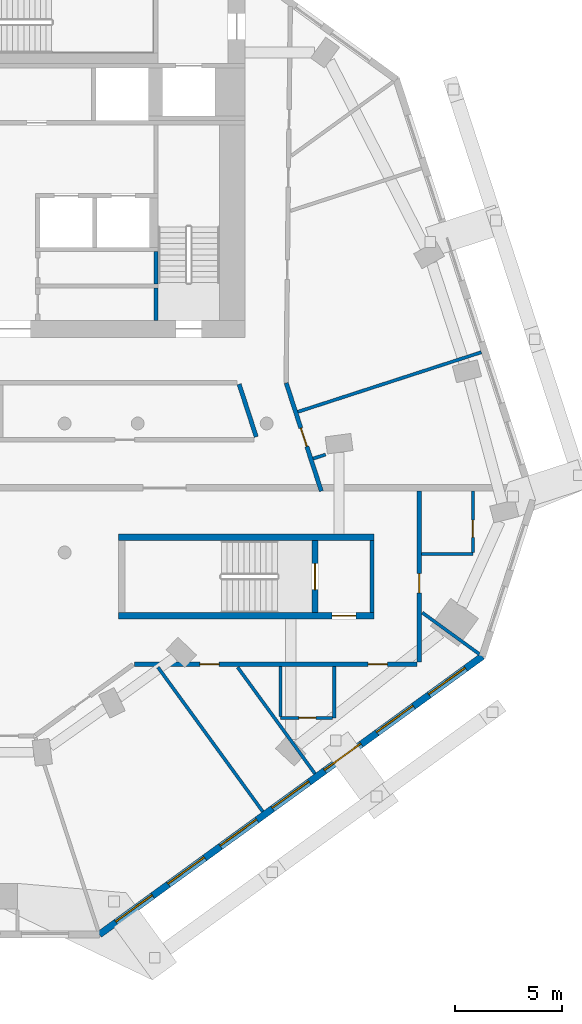
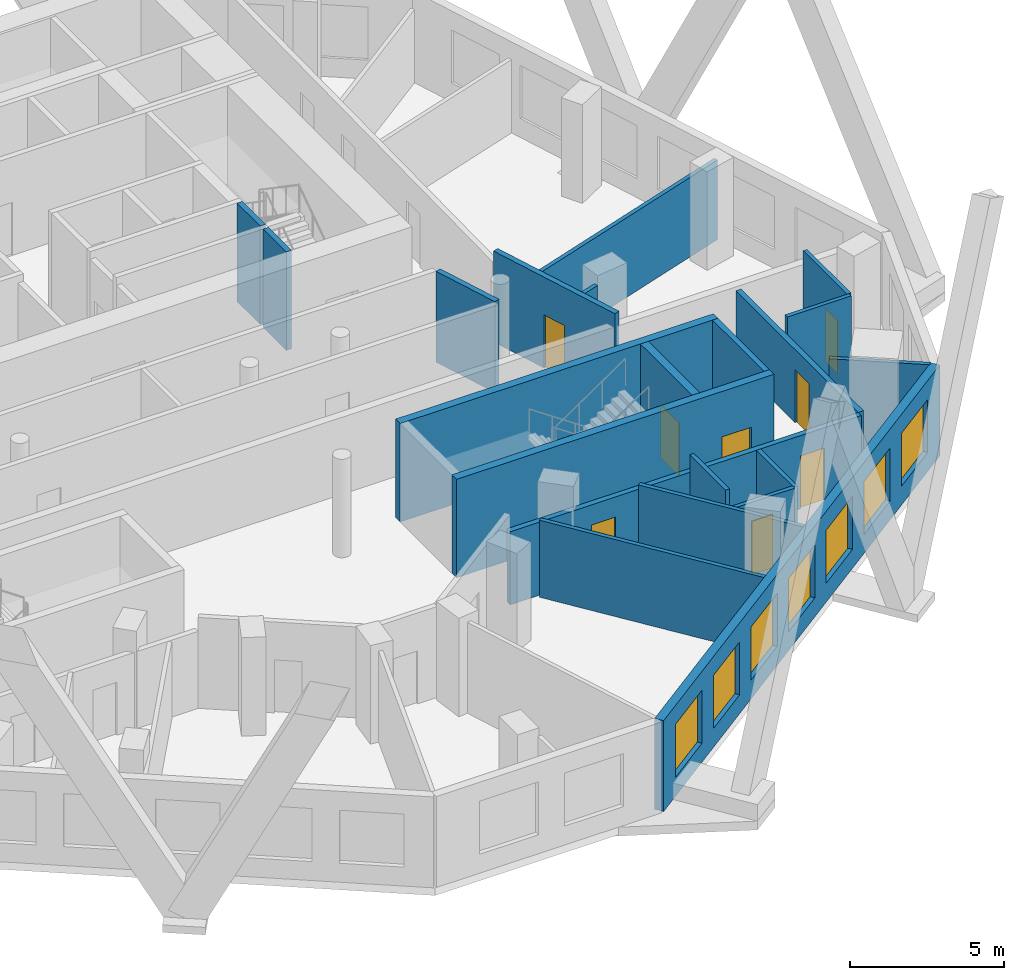
# One storey, part 5 of 10: 21 walls, 8 doors, 7 windows, 15 openings.
"""IFC4 building model written with IfcOpenShell, lengths in metres."""

import ifcopenshell
import ifcopenshell.guid

model = None  # the IFC model being written
_history = None  # IfcOwnerHistory: only IFC2X3 demands one
_inside = {}  # id of a spatial element -> (the spatial element, [elements in it])
_under = {}  # id of a project, library or spatial element -> (it, [spatial elements below it])
_declared = {}  # id of a project -> (the project, [libraries it declares])
_typed = {}  # id of a type object -> (the type object, [elements of that type])
_made_of = {}  # id of a material, layer set ... -> (it, [elements and type objects made of it])


def new_model(schema):
    """Start an empty IFC model of exactly this schema.

    Asked for "IFC4X3", IfcOpenShell would pick the latest addendum, in which some entities
    have other attributes; the version numbers below select the first issue.
    IFC2X3 requires an IfcOwnerHistory on every rooted entity: one is made here for all.
    """
    global model, _history
    if schema == "IFC4X3":
        model = ifcopenshell.file(schema_version=(4, 3, 0, 0))
    else:
        model = ifcopenshell.file(schema=schema)
    _inside.clear()
    _under.clear()
    _declared.clear()
    _typed.clear()
    _made_of.clear()
    _history = None
    if model.schema == "IFC2X3":
        org = make("IfcOrganization", Name="unknown")
        user = make(
            "IfcPersonAndOrganization",
            ThePerson=make("IfcPerson", FamilyName="unknown"),
            TheOrganization=org,
        )
        app = make(
            "IfcApplication",
            ApplicationDeveloper=org,
            Version="unknown",
            ApplicationFullName="unknown",
            ApplicationIdentifier="unknown",
        )
        _history = make(
            "IfcOwnerHistory",
            OwningUser=user,
            OwningApplication=app,
            ChangeAction="ADDED",
            CreationDate=0,
        )
    return model


def make(cls, **values):
    """One entity of the class cls with the attributes given. An attribute that is None is left unset."""
    return model.create_entity(
        cls, **{name: value for name, value in values.items() if value is not None}
    )


def rooted(cls, **values):
    """An entity with a GlobalId (a new one), such as an element, a storey or a relation."""
    return make(cls, GlobalId=ifcopenshell.guid.new(), OwnerHistory=_history, **values)


def si_unit(unit_type, name, prefix=None):
    """IfcSIUnit, for example si_unit("LENGTHUNIT", "METRE", prefix="MILLI")."""
    return make("IfcSIUnit", UnitType=unit_type, Prefix=prefix, Name=name)


def assignment(units):
    """IfcUnitAssignment: the units of a project."""
    return None if units is None else make("IfcUnitAssignment", Units=units)


def point(xyz):
    """IfcCartesianPoint."""
    return None if xyz is None else make("IfcCartesianPoint", Coordinates=xyz)


def direction(xyz):
    """IfcDirection."""
    return None if xyz is None else make("IfcDirection", DirectionRatios=xyz)


def frame(location, z_axis=None, x_axis=None):
    """IfcAxis2Placement3D, a coordinate frame: its origin and axes. An axis left out is left unset."""
    return make(
        "IfcAxis2Placement3D",
        Location=point(location),
        Axis=direction(z_axis),
        RefDirection=direction(x_axis),
    )


def frame_2d(location, x_axis=None):
    """IfcAxis2Placement2D, a coordinate frame in the plane: its origin and x axis."""
    return make(
        "IfcAxis2Placement2D", Location=point(location), RefDirection=direction(x_axis)
    )


def origin():
    """The frame at (0, 0, 0) with its axes left unset."""
    return frame((0.0, 0.0, 0.0))


def place(relative_to, where):
    """IfcLocalPlacement: puts the frame where relative to a parent placement (None: the world)."""
    return make(
        "IfcLocalPlacement", PlacementRelTo=relative_to, RelativePlacement=where
    )


def context(
    kind, dimensions, precision=None, world=None, true_north=None, identifier=None
):
    """IfcGeometricRepresentationContext, for example the 3D "Model" context."""
    return make(
        "IfcGeometricRepresentationContext",
        ContextIdentifier=identifier,
        ContextType=kind,
        CoordinateSpaceDimension=dimensions,
        Precision=precision,
        WorldCoordinateSystem=world,
        TrueNorth=true_north,
    )


def subcontext(parent, identifier, kind, view, scale=None):
    """IfcGeometricRepresentationSubContext, for example "Body" below "Model"."""
    return make(
        "IfcGeometricRepresentationSubContext",
        ContextIdentifier=identifier,
        ContextType=kind,
        ParentContext=parent,
        TargetScale=scale,
        TargetView=view,
    )


def project(units=None, contexts=None):
    """IfcProject with its units and contexts."""
    return rooted(
        "IfcProject",
        Name="project",
        RepresentationContexts=contexts,
        UnitsInContext=assignment(units),
    )


def spatial(cls, under=None, at=None, **own):
    """A site, building, storey or space (cls), placed at a placement, below another one or the project."""
    s = rooted(cls, ObjectPlacement=at, **own)
    if under is not None:
        _under.setdefault(under.id(), (under, []))[1].append(s)
    return s


def profile(cls, at=None, kind="AREA", **sizes):
    """A parametric profile (cls). Its sizes go by their IFC names, for example OverallWidth=200.0."""
    return make(cls, ProfileType=kind, Position=at, **sizes)


def rectangle(**sizes):
    """IfcRectangleProfileDef."""
    return profile("IfcRectangleProfileDef", **sizes)


def extrude(swept, where, along, depth):
    """IfcExtrudedAreaSolid: the profile swept, set in the frame where, extruded along a direction by depth."""
    return make(
        "IfcExtrudedAreaSolid",
        SweptArea=swept,
        Position=where,
        ExtrudedDirection=direction(along),
        Depth=depth,
    )


def shape(context_of_items, identifier, shape_type, items):
    """IfcShapeRepresentation: the items that make up one representation, for example the "Body"."""
    return make(
        "IfcShapeRepresentation",
        ContextOfItems=context_of_items,
        RepresentationIdentifier=identifier,
        RepresentationType=shape_type,
        Items=items,
    )


def material(Name=None, Category=None):
    """IfcMaterial."""
    return make("IfcMaterial", Name=Name, Category=Category)


def layer(
    of_material, thickness, ventilated=None, Name=None, Category=None, Priority=None
):
    """IfcMaterialLayer: one layer of a wall or slab, of a material (None: an air gap)."""
    return make(
        "IfcMaterialLayer",
        Material=of_material,
        LayerThickness=thickness,
        IsVentilated=ventilated,
        Name=Name,
        Category=Category,
        Priority=Priority,
    )


def layer_set(layers, Name=None):
    """IfcMaterialLayerSet."""
    return make("IfcMaterialLayerSet", MaterialLayers=layers, LayerSetName=Name)


def made_of(thing, what):
    """Note that an element or type object is made of a material, layer set ...; save() writes the relation."""
    if what is not None:
        _made_of.setdefault(what.id(), (what, []))[1].append(thing)
    return thing


def type_object(cls, material=None, **own):
    """A type object (cls), such as IfcWallType, which elements share."""
    return made_of(rooted(cls, **own), material)


def element(
    cls,
    number,
    at=None,
    inside=None,
    cuts=None,
    type_object=None,
    material=None,
    context=None,
    identifier="Body",
    shape_type=None,
    held_by="IfcProductDefinitionShape",
    body=None,
    shapes=None,
    **own,
):
    """One element of the class cls, such as IfcWall. Its Tag is "e" and its number.

    at: its placement. inside: the storey or other place that contains it. cuts: it is an
    opening in that element (IfcRelVoidsElement). A single representation is given by context,
    identifier, shape_type and body (its items); several are given by shapes. held_by: the class
    of the entity that holds the representations. save() writes the other relations.
    """
    e = rooted(cls, Tag="e%d" % number, ObjectPlacement=at, **own)
    if body is not None:
        shapes = [shape(context, identifier, shape_type, body)]
    if shapes is not None:
        e.Representation = make(held_by, Representations=shapes)
    if inside is not None:
        _inside.setdefault(inside.id(), (inside, []))[1].append(e)
    if cuts is not None:
        rooted(
            "IfcRelVoidsElement", RelatingBuildingElement=cuts, RelatedOpeningElement=e
        )
    if type_object is not None:
        _typed.setdefault(type_object.id(), (type_object, []))[1].append(e)
    return made_of(e, material)


def fill(opening, filler):
    """IfcRelFillsElement: the door or window that sits in an opening."""
    return rooted(
        "IfcRelFillsElement",
        RelatingOpeningElement=opening,
        RelatedBuildingElement=filler,
    )


def aggregate(whole, parts):
    """IfcRelAggregates: a whole, such as a stair, and the parts it consists of."""
    return rooted("IfcRelAggregates", RelatingObject=whole, RelatedObjects=parts)


def save(model, path):
    """Write the relations noted so far, then the file.

    IfcRelAggregates (storeys below a building ...), IfcRelContainedInSpatialStructure (elements
    in a storey), IfcRelDefinesByType, IfcRelAssociatesMaterial and IfcRelDeclares: one each for
    every whole, place, type object, material and project.
    """
    for whole, parts in _under.values():
        aggregate(whole, parts)
    for where, things in _inside.values():
        rooted(
            "IfcRelContainedInSpatialStructure",
            RelatedElements=things,
            RelatingStructure=where,
        )
    for kind, things in _typed.values():
        rooted("IfcRelDefinesByType", RelatedObjects=things, RelatingType=kind)
    for what, things in _made_of.values():
        rooted("IfcRelAssociatesMaterial", RelatedObjects=things, RelatingMaterial=what)
    for by, libraries in _declared.values():
        rooted("IfcRelDeclares", RelatingContext=by, RelatedDefinitions=libraries)
    model.write(path)


model = new_model("IFC4")

# Units and contexts
model_context = context("Model", 3, precision=1e-05, world=origin(), true_north=direction((0.0, 1.0)))
body_context = subcontext(model_context, "Body", "Model", "MODEL_VIEW")
ifc_project = project(units=[si_unit("LENGTHUNIT", "METRE"), si_unit("AREAUNIT", "SQUARE_METRE"), si_unit("VOLUMEUNIT", "CUBIC_METRE"), si_unit("PLANEANGLEUNIT", "RADIAN"), si_unit("MASSUNIT", "GRAM", prefix="KILO")], contexts=[model_context])

# Site, building, storey
site_placement = place(None, origin())
site = spatial("IfcSite", under=ifc_project, at=site_placement, CompositionType="ELEMENT")
building_placement = place(site_placement, origin())
building = spatial("IfcBuilding", under=site, at=building_placement, Name="White Candle Pilgrim Tower", CompositionType="ELEMENT")
storey_placement = place(building_placement, frame((0.0, 0.0, 219.89990234375)))
storey = spatial("IfcBuildingStorey", under=building, at=storey_placement, Name="L51", CompositionType="ELEMENT", Elevation=219.89990234375)

# Wall
ifc_material_1 = material(Name="Concrete C50/60", Category="concrete")
ifc_layer_1 = layer(ifc_material_1, 0.199951171875)
ifc_layer_set_1 = layer_set([ifc_layer_1], Name="Core wall 200 mm Concrete C50/60")
wall_type_1 = type_object("IfcWallType", Name="Core wall 200 mm Concrete C50/60", PredefinedType="SHEAR", material=ifc_layer_set_1)
wall_1_placement = place(storey_placement, frame((86.89990234375, 58.199951171875, 0.0), z_axis=(0.0, 0.0, 1.0), x_axis=(0.0, 1.0, 0.0)))
element("IfcWall", 1, at=wall_1_placement, inside=storey, type_object=wall_type_1, Name="WL-L51-C08", PredefinedType="SHEAR", context=body_context, shape_type="SweptSolid", body=[
    extrude(rectangle(XDim=3.35009765625, YDim=0.199951171875, at=frame_2d((1.675048828125, 0.0))), origin(), (0.0, 0.0, 1.0), 3.900146484375),
])

# Wall, opening, door
ifc_material_2 = material(Name="Gypsum board on steel studs", Category="steel")
ifc_layer_2 = layer(ifc_material_2, 0.199951171875)
ifc_layer_set_2 = layer_set([ifc_layer_2], Name="Corridor wall 200 mm EI 45")
wall_type_2 = type_object("IfcWallType", Name="Corridor wall 200 mm EI 45", PredefinedType="PARTITIONING", material=ifc_layer_set_2)
wall_2_placement = place(storey_placement, frame((82.909912109375, 68.884521484375, 0.0), z_axis=(0.0, 0.0, 1.0), x_axis=(0.309009941901, -0.951058807754, 0.0)))
wall_2 = element("IfcWall", 2, at=wall_2_placement, inside=storey, type_object=wall_type_2, Name="WL-L51-P005", PredefinedType="PARTITIONING", context=body_context, shape_type="SweptSolid", body=[
    extrude(rectangle(XDim=5.29345703125, YDim=0.199951171875, at=frame_2d((2.646728515625, 0.0))), origin(), (0.0, 0.0, 1.0), 3.60009765625),
])
opening_1_placement = place(wall_2_placement, frame((2.203857421875, 0.0, 0.0)))
opening_1 = element("IfcOpeningElement", 3, at=opening_1_placement, cuts=wall_2, Name="Opening T16-123", PredefinedType="OPENING", context=body_context, shape_type="SweptSolid", body=[
    extrude(rectangle(XDim=0.89990234375, YDim=2.10009765625, at=frame_2d((0.449951171875, 1.050048828125))), frame((0.0, 0.10986328125, 0.0), z_axis=(0.0, -1.0, 0.0), x_axis=(1.0, 0.0, 0.0)), (0.0, 0.0, 1.0), 0.219970703125),
])
ifc_material_3 = material(Name="Steel door leaf", Category="steel")
door_type_1 = type_object("IfcDoorType", Name="Fire door 900 x 2100 EI 30", OperationType="NOTDEFINED", PredefinedType="DOOR", material=ifc_material_3)
door_1_placement = place(opening_1_placement, origin())
door_1 = element("IfcDoor", 4, at=door_1_placement, inside=storey, type_object=door_type_1, Name="Door T16-123", OperationType="SINGLE_SWING_LEFT", OverallHeight=2.10009765625, OverallWidth=0.89990234375, PredefinedType="DOOR", context=body_context, shape_type="SweptSolid", body=[
    extrude(rectangle(XDim=0.89990234375, YDim=2.10009765625, at=frame_2d((0.449951171875, 1.050048828125))), frame((0.0, 0.02490234375, 0.0), z_axis=(0.0, -1.0, 0.0), x_axis=(1.0, 0.0, 0.0)), (0.0, 0.0, 1.0), 0.050048828125),
])
fill(opening_1, door_1)

wall_3_placement = place(storey_placement, frame((89.10009765625, 63.85009765625, 0.0), z_axis=(0.0, 0.0, 1.0), x_axis=(0.0, -1.0, 0.0)))
wall_3 = element("IfcWall", 5, at=wall_3_placement, inside=storey, type_object=wall_type_2, Name="WL-L51-P006", PredefinedType="PARTITIONING", context=body_context, shape_type="SweptSolid", body=[
    extrude(rectangle(XDim=7.9501953125, YDim=0.199951171875, at=frame_2d((3.97509765625, 0.0))), origin(), (0.0, 0.0, 1.0), 2.900146484375),
])
opening_2_placement = place(wall_3_placement, frame((3.833251953125, 0.0, 0.0)))
opening_2 = element("IfcOpeningElement", 6, at=opening_2_placement, cuts=wall_3, Name="Opening T16-113", PredefinedType="OPENING", context=body_context, shape_type="SweptSolid", body=[
    extrude(rectangle(XDim=0.89990234375, YDim=2.10009765625, at=frame_2d((0.449951171875, 1.050048828125))), frame((0.0, 0.10986328125, 0.0), z_axis=(0.0, -1.0, 0.0), x_axis=(1.0, 0.0, 0.0)), (0.0, 0.0, 1.0), 0.219970703125),
])
door_2_placement = place(opening_2_placement, origin())
door_2 = element("IfcDoor", 7, at=door_2_placement, inside=storey, type_object=door_type_1, Name="Door T16-113", OperationType="SINGLE_SWING_LEFT", OverallHeight=2.10009765625, OverallWidth=0.89990234375, PredefinedType="DOOR", context=body_context, shape_type="SweptSolid", body=[
    extrude(rectangle(XDim=0.89990234375, YDim=2.10009765625, at=frame_2d((0.449951171875, 1.050048828125))), frame((0.0, 0.02490234375, 0.0), z_axis=(0.0, -1.0, 0.0), x_axis=(1.0, 0.0, 0.0)), (0.0, 0.0, 1.0), 0.050048828125),
])
fill(opening_2, door_2)

# Wall, openings, doors
wall_4_placement = place(storey_placement, frame((89.0, 55.800048828125, 0.0), z_axis=(0.0, 0.0, 1.0), x_axis=(-1.0, 0.0, 0.0)))
wall_4 = element("IfcWall", 8, at=wall_4_placement, inside=storey, type_object=wall_type_2, Name="WL-L51-P007", PredefinedType="PARTITIONING", context=body_context, shape_type="SweptSolid", body=[
    extrude(rectangle(XDim=13.156982421875, YDim=0.199951171875, at=frame_2d((6.57861328125, 0.0))), origin(), (0.0, 0.0, 1.0), 2.900146484375),
])
opening_3_placement = place(wall_4_placement, frame((9.2080078125, 0.0, 0.0)))
opening_3 = element("IfcOpeningElement", 9, at=opening_3_placement, cuts=wall_4, Name="Opening T16-109", PredefinedType="OPENING", context=body_context, shape_type="SweptSolid", body=[
    extrude(rectangle(XDim=0.89990234375, YDim=2.10009765625, at=frame_2d((0.449951171875, 1.050048828125))), frame((0.0, 0.10986328125, 0.0), z_axis=(0.0, -1.0, 0.0), x_axis=(1.0, 0.0, 0.0)), (0.0, 0.0, 1.0), 0.219970703125),
])
opening_4_placement = place(wall_4_placement, frame((1.376953125, 0.0, 0.0)))
opening_4 = element("IfcOpeningElement", 10, at=opening_4_placement, cuts=wall_4, Name="Opening T16-111", PredefinedType="OPENING", context=body_context, shape_type="SweptSolid", body=[
    extrude(rectangle(XDim=0.89990234375, YDim=2.10009765625, at=frame_2d((0.449951171875, 1.050048828125))), frame((0.0, 0.10986328125, 0.0), z_axis=(0.0, -1.0, 0.0), x_axis=(1.0, 0.0, 0.0)), (0.0, 0.0, 1.0), 0.219970703125),
])
door_3_placement = place(opening_3_placement, origin())
door_3 = element("IfcDoor", 11, at=door_3_placement, inside=storey, type_object=door_type_1, Name="Door T16-109", OperationType="SINGLE_SWING_LEFT", OverallHeight=2.10009765625, OverallWidth=0.89990234375, PredefinedType="DOOR", context=body_context, shape_type="SweptSolid", body=[
    extrude(rectangle(XDim=0.89990234375, YDim=2.10009765625, at=frame_2d((0.449951171875, 1.050048828125))), frame((0.0, 0.02490234375, 0.0), z_axis=(0.0, -1.0, 0.0), x_axis=(1.0, 0.0, 0.0)), (0.0, 0.0, 1.0), 0.050048828125),
])
fill(opening_3, door_3)
door_4_placement = place(opening_4_placement, origin())
door_4 = element("IfcDoor", 12, at=door_4_placement, inside=storey, type_object=door_type_1, Name="Door T16-111", OperationType="SINGLE_SWING_LEFT", OverallHeight=2.10009765625, OverallWidth=0.89990234375, PredefinedType="DOOR", context=body_context, shape_type="SweptSolid", body=[
    extrude(rectangle(XDim=0.89990234375, YDim=2.10009765625, at=frame_2d((0.449951171875, 1.050048828125))), frame((0.0, 0.02490234375, 0.0), z_axis=(0.0, -1.0, 0.0), x_axis=(1.0, 0.0, 0.0)), (0.0, 0.0, 1.0), 0.050048828125),
])
fill(opening_4, door_4)

# Wall
wall_5_placement = place(storey_placement, frame((81.51513671875, 66.380859375, 0.0), z_axis=(0.0, 0.0, 1.0), x_axis=(-0.308968203288, 0.951072368097, 0.0)))
element("IfcWall", 13, at=wall_5_placement, inside=storey, type_object=wall_type_2, Name="WL-L51-P016", PredefinedType="PARTITIONING", context=body_context, shape_type="SweptSolid", body=[
    extrude(rectangle(XDim=2.575927734375, YDim=0.199951171875, at=frame_2d((1.2880859375, 0.0))), origin(), (0.0, 0.0, 1.0), 3.60009765625),
])

# Wall, openings, windows
ifc_material_4 = material(Name="Precast concrete C40/50", Category="concrete")
ifc_layer_3 = layer(ifc_material_4, 0.320068359375)
ifc_layer_set_3 = layer_set([ifc_layer_3], Name="Facade wall EW1 precast concrete C40/50 pier wall with timber-lined reveals")
wall_type_3 = type_object("IfcWallType", Name="Facade wall EW1 precast concrete C40/50 pier wall with timber-lined reveals", PredefinedType="SOLIDWALL", material=ifc_layer_set_3)
wall_6_placement = place(storey_placement, frame((74.21826171875, 43.221923828125, 0.0), z_axis=(0.0, 0.0, 1.0), x_axis=(0.809020717907, 0.587780127256, 0.0)))
wall_6 = element("IfcWall", 14, at=wall_6_placement, inside=storey, type_object=wall_type_3, Name="Facade wall L51 SE", PredefinedType="SOLIDWALL", context=body_context, shape_type="SweptSolid", body=[
    extrude(rectangle(XDim=22.02490234375, YDim=0.320068359375, at=frame_2d((11.012451171875, 0.0))), origin(), (0.0, 0.0, 1.0), 3.60009765625),
])
opening_5_placement = place(wall_6_placement, frame((0.96240234375, 0.0, 0.75)))
opening_5 = element("IfcOpeningElement", 15, at=opening_5_placement, cuts=wall_6, Name="Opening W3", PredefinedType="OPENING", context=body_context, shape_type="SweptSolid", body=[
    extrude(rectangle(XDim=2.10009765625, YDim=2.10009765625, at=frame_2d((1.050048828125, 1.050048828125))), frame((0.0, 0.169921875, 0.0), z_axis=(0.0, -1.0, 0.0), x_axis=(1.0, 0.0, 0.0)), (0.0, 0.0, 1.0), 0.340087890625),
])
opening_6_placement = place(wall_6_placement, frame((3.96240234375, 0.0, 0.75)))
opening_6 = element("IfcOpeningElement", 16, at=opening_6_placement, cuts=wall_6, Name="Opening W3", PredefinedType="OPENING", context=body_context, shape_type="SweptSolid", body=[
    extrude(rectangle(XDim=2.10009765625, YDim=2.10009765625, at=frame_2d((1.050048828125, 1.050048828125))), frame((0.0, 0.169921875, 0.0), z_axis=(0.0, -1.0, 0.0), x_axis=(1.0, 0.0, 0.0)), (0.0, 0.0, 1.0), 0.340087890625),
])
opening_7_placement = place(wall_6_placement, frame((6.96240234375, 0.0, 0.75)))
opening_7 = element("IfcOpeningElement", 17, at=opening_7_placement, cuts=wall_6, Name="Opening W3", PredefinedType="OPENING", context=body_context, shape_type="SweptSolid", body=[
    extrude(rectangle(XDim=2.10009765625, YDim=2.10009765625, at=frame_2d((1.050048828125, 1.050048828125))), frame((0.0, 0.169921875, 0.0), z_axis=(0.0, -1.0, 0.0), x_axis=(1.0, 0.0, 0.0)), (0.0, 0.0, 1.0), 0.340087890625),
])
opening_8_placement = place(wall_6_placement, frame((9.96240234375, 0.0, 0.75)))
opening_8 = element("IfcOpeningElement", 18, at=opening_8_placement, cuts=wall_6, Name="Opening W3", PredefinedType="OPENING", context=body_context, shape_type="SweptSolid", body=[
    extrude(rectangle(XDim=2.10009765625, YDim=2.10009765625, at=frame_2d((1.050048828125, 1.050048828125))), frame((0.0, 0.169921875, 0.0), z_axis=(0.0, -1.0, 0.0), x_axis=(1.0, 0.0, 0.0)), (0.0, 0.0, 1.0), 0.340087890625),
])
opening_9_placement = place(wall_6_placement, frame((12.96240234375, 0.0, 0.75)))
opening_9 = element("IfcOpeningElement", 19, at=opening_9_placement, cuts=wall_6, Name="Opening W3", PredefinedType="OPENING", context=body_context, shape_type="SweptSolid", body=[
    extrude(rectangle(XDim=2.10009765625, YDim=2.10009765625, at=frame_2d((1.050048828125, 1.050048828125))), frame((0.0, 0.169921875, 0.0), z_axis=(0.0, -1.0, 0.0), x_axis=(1.0, 0.0, 0.0)), (0.0, 0.0, 1.0), 0.340087890625),
])
opening_10_placement = place(wall_6_placement, frame((15.96240234375, 0.0, 0.75)))
opening_10 = element("IfcOpeningElement", 20, at=opening_10_placement, cuts=wall_6, Name="Opening W3", PredefinedType="OPENING", context=body_context, shape_type="SweptSolid", body=[
    extrude(rectangle(XDim=2.10009765625, YDim=2.10009765625, at=frame_2d((1.050048828125, 1.050048828125))), frame((0.0, 0.169921875, 0.0), z_axis=(0.0, -1.0, 0.0), x_axis=(1.0, 0.0, 0.0)), (0.0, 0.0, 1.0), 0.340087890625),
])
opening_11_placement = place(wall_6_placement, frame((18.96240234375, 0.0, 0.75)))
opening_11 = element("IfcOpeningElement", 21, at=opening_11_placement, cuts=wall_6, Name="Opening W3", PredefinedType="OPENING", context=body_context, shape_type="SweptSolid", body=[
    extrude(rectangle(XDim=2.10009765625, YDim=2.10009765625, at=frame_2d((1.050048828125, 1.050048828125))), frame((0.0, 0.169921875, 0.0), z_axis=(0.0, -1.0, 0.0), x_axis=(1.0, 0.0, 0.0)), (0.0, 0.0, 1.0), 0.340087890625),
])
ifc_material_5 = material(Name="Timber frame with triple glazing", Category="wood")
window_type = type_object("IfcWindowType", Name="Window W3 2100x2100 timber frame triple glazing", PartitioningType="SINGLE_PANEL", PredefinedType="WINDOW", material=ifc_material_5)
window_1_placement = place(opening_5_placement, origin())
window_1 = element("IfcWindow", 22, at=window_1_placement, inside=storey, type_object=window_type, Name="Window W3 L51 SE 1", OverallHeight=2.10009765625, OverallWidth=2.10009765625, PartitioningType="SINGLE_PANEL", PredefinedType="WINDOW", context=body_context, shape_type="SweptSolid", body=[
    extrude(rectangle(XDim=2.10009765625, YDim=2.10009765625, at=frame_2d((1.050048828125, 1.050048828125))), frame((0.0, 0.070068359375, 0.0), z_axis=(0.0, -1.0, 0.0), x_axis=(1.0, 0.0, 0.0)), (0.0, 0.0, 1.0), 0.06005859375),
])
fill(opening_5, window_1)
window_2_placement = place(opening_6_placement, origin())
window_2 = element("IfcWindow", 23, at=window_2_placement, inside=storey, type_object=window_type, Name="Window W3 L51 SE 2", OverallHeight=2.10009765625, OverallWidth=2.10009765625, PartitioningType="SINGLE_PANEL", PredefinedType="WINDOW", context=body_context, shape_type="SweptSolid", body=[
    extrude(rectangle(XDim=2.10009765625, YDim=2.10009765625, at=frame_2d((1.050048828125, 1.050048828125))), frame((0.0, 0.070068359375, 0.0), z_axis=(0.0, -1.0, 0.0), x_axis=(1.0, 0.0, 0.0)), (0.0, 0.0, 1.0), 0.06005859375),
])
fill(opening_6, window_2)
window_3_placement = place(opening_7_placement, origin())
window_3 = element("IfcWindow", 24, at=window_3_placement, inside=storey, type_object=window_type, Name="Window W3 L51 SE 3", OverallHeight=2.10009765625, OverallWidth=2.10009765625, PartitioningType="SINGLE_PANEL", PredefinedType="WINDOW", context=body_context, shape_type="SweptSolid", body=[
    extrude(rectangle(XDim=2.10009765625, YDim=2.10009765625, at=frame_2d((1.050048828125, 1.050048828125))), frame((0.0, 0.070068359375, 0.0), z_axis=(0.0, -1.0, 0.0), x_axis=(1.0, 0.0, 0.0)), (0.0, 0.0, 1.0), 0.06005859375),
])
fill(opening_7, window_3)
window_4_placement = place(opening_8_placement, origin())
window_4 = element("IfcWindow", 25, at=window_4_placement, inside=storey, type_object=window_type, Name="Window W3 L51 SE 4", OverallHeight=2.10009765625, OverallWidth=2.10009765625, PartitioningType="SINGLE_PANEL", PredefinedType="WINDOW", context=body_context, shape_type="SweptSolid", body=[
    extrude(rectangle(XDim=2.10009765625, YDim=2.10009765625, at=frame_2d((1.050048828125, 1.050048828125))), frame((0.0, 0.070068359375, 0.0), z_axis=(0.0, -1.0, 0.0), x_axis=(1.0, 0.0, 0.0)), (0.0, 0.0, 1.0), 0.06005859375),
])
fill(opening_8, window_4)
window_5_placement = place(opening_9_placement, origin())
window_5 = element("IfcWindow", 26, at=window_5_placement, inside=storey, type_object=window_type, Name="Window W3 L51 SE 5", OverallHeight=2.10009765625, OverallWidth=2.10009765625, PartitioningType="SINGLE_PANEL", PredefinedType="WINDOW", context=body_context, shape_type="SweptSolid", body=[
    extrude(rectangle(XDim=2.10009765625, YDim=2.10009765625, at=frame_2d((1.050048828125, 1.050048828125))), frame((0.0, 0.070068359375, 0.0), z_axis=(0.0, -1.0, 0.0), x_axis=(1.0, 0.0, 0.0)), (0.0, 0.0, 1.0), 0.06005859375),
])
fill(opening_9, window_5)
window_6_placement = place(opening_10_placement, origin())
window_6 = element("IfcWindow", 27, at=window_6_placement, inside=storey, type_object=window_type, Name="Window W3 L51 SE 6", OverallHeight=2.10009765625, OverallWidth=2.10009765625, PartitioningType="SINGLE_PANEL", PredefinedType="WINDOW", context=body_context, shape_type="SweptSolid", body=[
    extrude(rectangle(XDim=2.10009765625, YDim=2.10009765625, at=frame_2d((1.050048828125, 1.050048828125))), frame((0.0, 0.070068359375, 0.0), z_axis=(0.0, -1.0, 0.0), x_axis=(1.0, 0.0, 0.0)), (0.0, 0.0, 1.0), 0.06005859375),
])
fill(opening_10, window_6)
window_7_placement = place(opening_11_placement, origin())
window_7 = element("IfcWindow", 28, at=window_7_placement, inside=storey, type_object=window_type, Name="Window W3 L51 SE 7", OverallHeight=2.10009765625, OverallWidth=2.10009765625, PartitioningType="SINGLE_PANEL", PredefinedType="WINDOW", context=body_context, shape_type="SweptSolid", body=[
    extrude(rectangle(XDim=2.10009765625, YDim=2.10009765625, at=frame_2d((1.050048828125, 1.050048828125))), frame((0.0, 0.070068359375, 0.0), z_axis=(0.0, -1.0, 0.0), x_axis=(1.0, 0.0, 0.0)), (0.0, 0.0, 1.0), 0.06005859375),
])
fill(opening_11, window_7)

# Walls
ifc_layer_4 = layer(ifc_material_2, 0.14990234375)
ifc_layer_set_4 = layer_set([ifc_layer_4], Name="Partition 150 mm EI 60")
wall_type_4 = type_object("IfcWallType", Name="Partition 150 mm EI 60", PredefinedType="PARTITIONING", material=ifc_layer_set_4)
wall_7_placement = place(storey_placement, frame((91.900634765625, 56.2666015625, 0.0), z_axis=(0.0, 0.0, 1.0), x_axis=(-0.808999643258, 0.587809133315, 0.0)))
element("IfcWall", 29, at=wall_7_placement, inside=storey, type_object=wall_type_4, Name="WL-L51-P021", PredefinedType="PARTITIONING", context=body_context, shape_type="SweptSolid", body=[
    extrude(rectangle(XDim=3.28369140625, YDim=0.14990234375, at=frame_2d((1.641845703125, 0.0))), origin(), (0.0, 0.0, 1.0), 3.60009765625),
])
wall_8_placement = place(storey_placement, frame((81.820068359375, 48.942626953125, 0.0), z_axis=(0.0, 0.0, 1.0), x_axis=(-0.587795526612, 0.809009529545, 0.0)))
element("IfcWall", 30, at=wall_8_placement, inside=storey, type_object=wall_type_4, Name="WL-L51-P029", PredefinedType="PARTITIONING", context=body_context, shape_type="SweptSolid", body=[
    extrude(rectangle(XDim=8.29833984375, YDim=0.14990234375, at=frame_2d((4.149169921875, 0.0))), origin(), (0.0, 0.0, 1.0), 3.050048828125),
])
wall_9_placement = place(storey_placement, frame((84.2470703125, 50.705810546875, 0.0), z_axis=(0.0, 0.0, 1.0), x_axis=(-0.58777542513, 0.809024134135, 0.0)))
element("IfcWall", 31, at=wall_9_placement, inside=storey, type_object=wall_type_4, Name="WL-L51-P030", PredefinedType="PARTITIONING", context=body_context, shape_type="SweptSolid", body=[
    extrude(rectangle(XDim=6.11865234375, YDim=0.14990234375, at=frame_2d((3.059326171875, 0.0))), origin(), (0.0, 0.0, 1.0), 3.150146484375),
])
wall_10_placement = place(storey_placement, frame((85.14599609375, 55.699951171875, 0.0), z_axis=(0.0, 0.0, 1.0), x_axis=(0.0, -1.0, 0.0)))
element("IfcWall", 32, at=wall_10_placement, inside=storey, type_object=wall_type_4, Name="WL-L51-P031", PredefinedType="PARTITIONING", context=body_context, shape_type="SweptSolid", body=[
    extrude(rectangle(XDim=2.39990234375, YDim=0.14990234375, at=frame_2d((1.199951171875, 0.0))), origin(), (0.0, 0.0, 1.0), 2.900146484375),
])

# Wall, opening, door
wall_11_placement = place(storey_placement, frame((82.64599609375, 53.300048828125, 0.0), z_axis=(0.0, 0.0, 1.0), x_axis=(1.0, 0.0, 0.0)))
wall_11 = element("IfcWall", 33, at=wall_11_placement, inside=storey, type_object=wall_type_4, Name="WL-L51-P032", PredefinedType="PARTITIONING", context=body_context, shape_type="SweptSolid", body=[
    extrude(rectangle(XDim=2.425048828125, YDim=0.14990234375, at=frame_2d((1.21240234375, 0.0))), origin(), (0.0, 0.0, 1.0), 2.900146484375),
])
opening_12_placement = place(wall_11_placement, frame((0.85009765625, 0.0, 0.0)))
opening_12 = element("IfcOpeningElement", 34, at=opening_12_placement, cuts=wall_11, Name="Opening T16-110", PredefinedType="OPENING", context=body_context, shape_type="SweptSolid", body=[
    extrude(rectangle(XDim=0.800048828125, YDim=2.10009765625, at=frame_2d((0.39990234375, 1.050048828125))), frame((0.0, 0.0849609375, 0.0), z_axis=(0.0, -1.0, 0.0), x_axis=(1.0, 0.0, 0.0)), (0.0, 0.0, 1.0), 0.169921875),
])
door_type_2 = type_object("IfcDoorType", Name="Fire door 800 x 2100 EI 30", OperationType="NOTDEFINED", PredefinedType="DOOR", material=ifc_material_3)
door_5_placement = place(opening_12_placement, frame((0.800048828125, 0.0, 0.0), z_axis=(0.0, 0.0, 1.0), x_axis=(-1.0, 0.0, 0.0)))
door_5 = element("IfcDoor", 35, at=door_5_placement, inside=storey, type_object=door_type_2, Name="Door T16-110", OperationType="SINGLE_SWING_LEFT", OverallHeight=2.10009765625, OverallWidth=0.800048828125, PredefinedType="DOOR", context=body_context, shape_type="SweptSolid", body=[
    extrude(rectangle(XDim=0.800048828125, YDim=2.10009765625, at=frame_2d((0.39990234375, 1.050048828125))), frame((0.0, 0.02490234375, 0.0), z_axis=(0.0, -1.0, 0.0), x_axis=(1.0, 0.0, 0.0)), (0.0, 0.0, 1.0), 0.050048828125),
])
fill(opening_12, door_5)

# Walls
wall_12_placement = place(storey_placement, frame((82.64599609375, 55.699951171875, 0.0), z_axis=(0.0, 0.0, 1.0), x_axis=(0.0, -1.0, 0.0)))
element("IfcWall", 36, at=wall_12_placement, inside=storey, type_object=wall_type_4, Name="WL-L51-P033", PredefinedType="PARTITIONING", context=body_context, shape_type="SweptSolid", body=[
    extrude(rectangle(XDim=2.324951171875, YDim=0.14990234375, at=frame_2d((1.16259765625, 0.0))), origin(), (0.0, 0.0, 1.0), 3.60009765625),
])
wall_13_placement = place(storey_placement, frame((89.199951171875, 60.931884765625, 0.0), z_axis=(0.0, 0.0, 1.0), x_axis=(1.0, 0.0, 0.0)))
element("IfcWall", 37, at=wall_13_placement, inside=storey, type_object=wall_type_4, Name="WL-L51-P034", PredefinedType="PARTITIONING", context=body_context, shape_type="SweptSolid", body=[
    extrude(rectangle(XDim=2.400146484375, YDim=0.14990234375, at=frame_2d((1.2001953125, 0.0))), origin(), (0.0, 0.0, 1.0), 3.60009765625),
])

# Wall, opening, door
wall_14_placement = place(storey_placement, frame((91.60009765625, 63.85009765625, 0.0), z_axis=(0.0, 0.0, 1.0), x_axis=(0.0, -1.0, 0.0)))
wall_14 = element("IfcWall", 38, at=wall_14_placement, inside=storey, type_object=wall_type_4, Name="WL-L51-P035", PredefinedType="PARTITIONING", context=body_context, shape_type="SweptSolid", body=[
    extrude(rectangle(XDim=2.84326171875, YDim=0.14990234375, at=frame_2d((1.421630859375, 0.0))), origin(), (0.0, 0.0, 1.0), 3.60009765625),
])
opening_13_placement = place(wall_14_placement, frame((1.34326171875, 0.0, 0.0)))
opening_13 = element("IfcOpeningElement", 39, at=opening_13_placement, cuts=wall_14, Name="Opening T16-112", PredefinedType="OPENING", context=body_context, shape_type="SweptSolid", body=[
    extrude(rectangle(XDim=0.800048828125, YDim=2.10009765625, at=frame_2d((0.39990234375, 1.050048828125))), frame((0.0, 0.0849609375, 0.0), z_axis=(0.0, -1.0, 0.0), x_axis=(1.0, 0.0, 0.0)), (0.0, 0.0, 1.0), 0.169921875),
])
door_6_placement = place(opening_13_placement, origin())
door_6 = element("IfcDoor", 40, at=door_6_placement, inside=storey, type_object=door_type_2, Name="Door T16-112", OperationType="SINGLE_SWING_RIGHT", OverallHeight=2.10009765625, OverallWidth=0.800048828125, PredefinedType="DOOR", context=body_context, shape_type="SweptSolid", body=[
    extrude(rectangle(XDim=0.800048828125, YDim=2.10009765625, at=frame_2d((0.39990234375, 1.050048828125))), frame((0.0, 0.02490234375, 0.0), z_axis=(0.0, -1.0, 0.0), x_axis=(1.0, 0.0, 0.0)), (0.0, 0.0, 1.0), 0.050048828125),
])
fill(opening_13, door_6)

# Walls
wall_15_placement = place(storey_placement, frame((91.99169921875, 70.31689453125, 0.0), z_axis=(0.0, 0.0, 1.0), x_axis=(-0.951059239389, -0.309008613427, 0.0)))
element("IfcWall", 41, at=wall_15_placement, inside=storey, type_object=wall_type_4, Name="WL-L51-P036", PredefinedType="PARTITIONING", context=body_context, shape_type="SweptSolid", body=[
    extrude(rectangle(XDim=8.97998046875, YDim=0.14990234375, at=frame_2d((4.489990234375, 0.0))), origin(), (0.0, 0.0, 1.0), 3.150146484375),
])
wall_16_placement = place(storey_placement, frame((84.7431640625, 65.55517578125, 0.0), z_axis=(0.0, 0.0, 1.0), x_axis=(-0.951077833303, -0.30895137967, 0.0)))
element("IfcWall", 42, at=wall_16_placement, inside=storey, type_object=wall_type_4, Name="WL-L51-P040", PredefinedType="PARTITIONING", context=body_context, shape_type="SweptSolid", body=[
    extrude(rectangle(XDim=0.61474609375, YDim=0.14990234375, at=frame_2d((0.307373046875, 0.0))), origin(), (0.0, 0.0, 1.0), 3.60009765625),
])
ifc_layer_5 = layer(ifc_material_1, 0.199951171875)
ifc_layer_set_5 = layer_set([ifc_layer_5], Name="Stair shaft wall 200 mm Concrete C50/60")
wall_type_5 = type_object("IfcWallType", Name="Stair shaft wall 200 mm Concrete C50/60", PredefinedType="SHEAR", material=ifc_layer_set_5)
for number, where, z_axis, x_axis, name in (
    (43, (76.85009765625, 71.800048828125, 0.0), (0.0, 0.0, 1.0), (0.0, 1.0, 0.0), "WL-L51-C16"),
    (44, (76.85009765625, 73.5, 0.0), (0.0, 0.0, 1.0), (0.0, 1.0, 0.0), "WL-L51-C20"),
):
    element("IfcWall", number, at=place(storey_placement, frame(where, z_axis=z_axis, x_axis=x_axis)), inside=storey, type_object=wall_type_5, Name=name, PredefinedType="SHEAR", context=body_context, shape_type="SweptSolid", body=[
        extrude(rectangle(XDim=1.5, YDim=0.199951171875, at=frame_2d((0.75, 0.0))), origin(), (0.0, 0.0, 1.0), 3.900146484375),
    ])

# Wall, opening, door
ifc_layer_6 = layer(ifc_material_1, 0.300048828125)
ifc_layer_set_6 = layer_set([ifc_layer_6], Name="Stair shaft wall 300 mm Concrete C50/60")
wall_type_6 = type_object("IfcWallType", Name="Stair shaft wall 300 mm Concrete C50/60", PredefinedType="SHEAR", material=ifc_layer_set_6)
wall_17_placement = place(storey_placement, frame((75.10009765625, 58.050048828125, 0.0), z_axis=(0.0, 0.0, 1.0), x_axis=(1.0, 0.0, 0.0)))
wall_17 = element("IfcWall", 45, at=wall_17_placement, inside=storey, type_object=wall_type_6, Name="WL-L51-C02", PredefinedType="SHEAR", context=body_context, shape_type="SweptSolid", body=[
    extrude(rectangle(XDim=11.89990234375, YDim=0.300048828125, at=frame_2d((5.949951171875, 0.0))), origin(), (0.0, 0.0, 1.0), 3.900146484375),
])
opening_14_placement = place(wall_17_placement, frame((9.949951171875, 0.0, 0.0)))
opening_14 = element("IfcOpeningElement", 46, at=opening_14_placement, cuts=wall_17, Name="Opening T16-012", PredefinedType="OPENING", context=body_context, shape_type="SweptSolid", body=[
    extrude(rectangle(XDim=1.10009765625, YDim=2.10009765625, at=frame_2d((0.550048828125, 1.050048828125))), frame((0.0, 0.159912109375, 0.0), z_axis=(0.0, -1.0, 0.0), x_axis=(1.0, 0.0, 0.0)), (0.0, 0.0, 1.0), 0.320068359375),
])
door_type_3 = type_object("IfcDoorType", Name="Fire door 1100 x 2100 EI 60", OperationType="NOTDEFINED", PredefinedType="DOOR", material=ifc_material_3)
door_7_placement = place(opening_14_placement, origin())
door_7 = element("IfcDoor", 47, at=door_7_placement, inside=storey, type_object=door_type_3, Name="Door T16-012", OperationType="SINGLE_SWING_RIGHT", OverallHeight=2.10009765625, OverallWidth=1.10009765625, PredefinedType="DOOR", context=body_context, shape_type="SweptSolid", body=[
    extrude(rectangle(XDim=1.10009765625, YDim=2.10009765625, at=frame_2d((0.550048828125, 1.050048828125))), frame((0.0, 0.02490234375, 0.0), z_axis=(0.0, -1.0, 0.0), x_axis=(1.0, 0.0, 0.0)), (0.0, 0.0, 1.0), 0.050048828125),
])
fill(opening_14, door_7)

wall_18_placement = place(storey_placement, frame((84.25, 58.199951171875, 0.0), z_axis=(0.0, 0.0, 1.0), x_axis=(0.0, 1.0, 0.0)))
wall_18 = element("IfcWall", 48, at=wall_18_placement, inside=storey, type_object=wall_type_6, Name="WL-L51-C07", PredefinedType="SHEAR", context=body_context, shape_type="SweptSolid", body=[
    extrude(rectangle(XDim=3.35009765625, YDim=0.300048828125, at=frame_2d((1.675048828125, 0.0))), origin(), (0.0, 0.0, 1.0), 3.900146484375),
])
opening_15_placement = place(wall_18_placement, frame((1.074951171875, 0.0, 0.0)))
opening_15 = element("IfcOpeningElement", 49, at=opening_15_placement, cuts=wall_18, Name="Opening T16-013", PredefinedType="OPENING", context=body_context, shape_type="SweptSolid", body=[
    extrude(rectangle(XDim=1.199951171875, YDim=2.10009765625, at=frame_2d((0.60009765625, 1.050048828125))), frame((0.0, 0.159912109375, 0.0), z_axis=(0.0, -1.0, 0.0), x_axis=(1.0, 0.0, 0.0)), (0.0, 0.0, 1.0), 0.320068359375),
])
door_type_4 = type_object("IfcDoorType", Name="Fire door 1200 x 2100 EI 60", OperationType="NOTDEFINED", PredefinedType="DOOR", material=ifc_material_3)
door_8_placement = place(opening_15_placement, origin())
door_8 = element("IfcDoor", 50, at=door_8_placement, inside=storey, type_object=door_type_4, Name="Door T16-013", OperationType="SINGLE_SWING_LEFT", OverallHeight=2.10009765625, OverallWidth=1.199951171875, PredefinedType="DOOR", context=body_context, shape_type="SweptSolid", body=[
    extrude(rectangle(XDim=1.199951171875, YDim=2.10009765625, at=frame_2d((0.60009765625, 1.050048828125))), frame((0.0, 0.02490234375, 0.0), z_axis=(0.0, -1.0, 0.0), x_axis=(1.0, 0.0, 0.0)), (0.0, 0.0, 1.0), 0.050048828125),
])
fill(opening_15, door_8)

# Wall
wall_19_placement = place(storey_placement, frame((75.10009765625, 61.699951171875, 0.0), z_axis=(0.0, 0.0, 1.0), x_axis=(1.0, 0.0, 0.0)))
element("IfcWall", 51, at=wall_19_placement, inside=storey, type_object=wall_type_6, Name="WL-L51-C10", PredefinedType="SHEAR", context=body_context, shape_type="SweptSolid", body=[
    extrude(rectangle(XDim=11.89990234375, YDim=0.300048828125, at=frame_2d((5.949951171875, 0.0))), origin(), (0.0, 0.0, 1.0), 3.900146484375),
])

save(model, "model.ifc")
